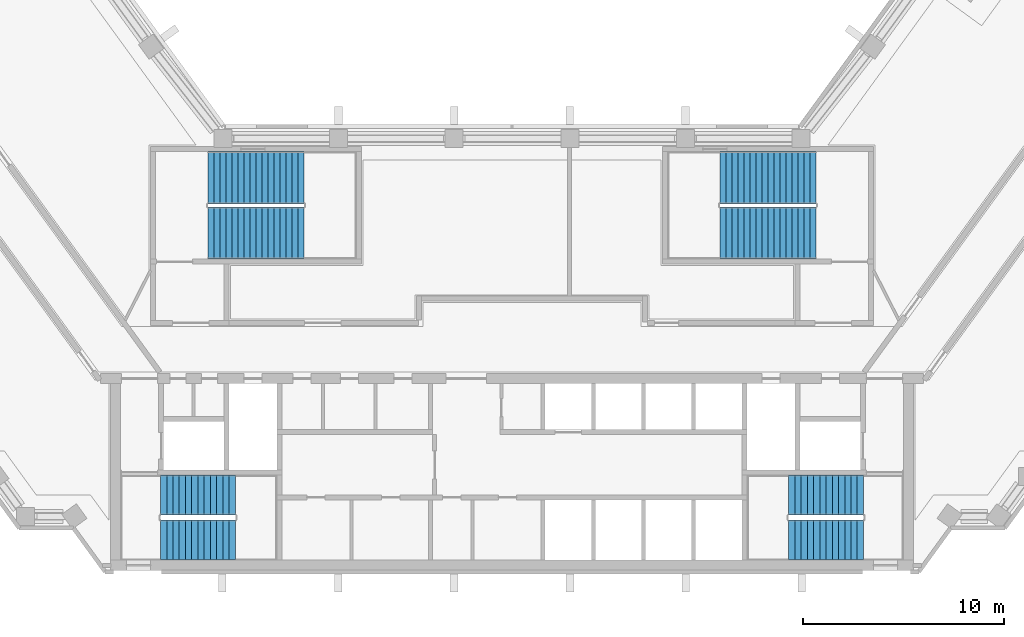
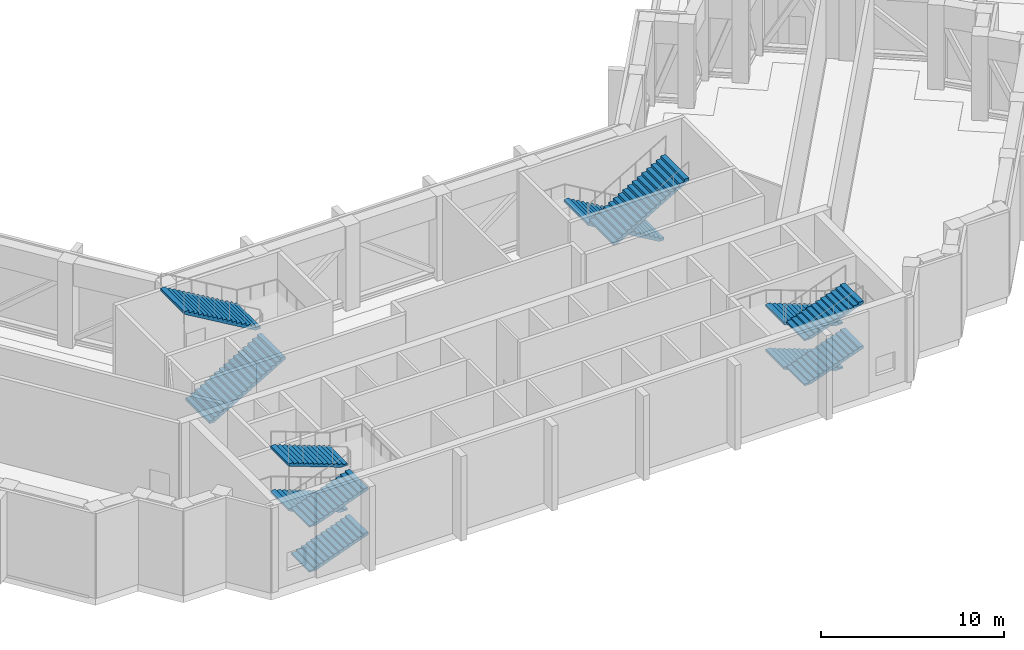
# One storey, part 13 of 16: 12 stair flights, 4 elements without a shape of their own.
"""IFC4 building model written with IfcOpenShell, lengths in metres."""

from ifc_helpers import new_model, si_unit, direction, frame, origin, place, context, subcontext, project, spatial, polyline, outline, extrude, material, type_object, element, aggregate, save


model = new_model("IFC4")

# Units and contexts
model_context = context("Model", 3, precision=1e-05, world=origin(), true_north=direction((0.0, 1.0)))
body_context = subcontext(model_context, "Body", "Model", "MODEL_VIEW")
ifc_project = project(units=[si_unit("LENGTHUNIT", "METRE"), si_unit("AREAUNIT", "SQUARE_METRE"), si_unit("VOLUMEUNIT", "CUBIC_METRE"), si_unit("PLANEANGLEUNIT", "RADIAN"), si_unit("MASSUNIT", "GRAM", prefix="KILO")], contexts=[model_context])

# Site, building, storey
site_placement = place(None, origin())
site = spatial("IfcSite", under=ifc_project, at=site_placement, CompositionType="ELEMENT")
building_placement = place(site_placement, origin())
building = spatial("IfcBuilding", under=site, at=building_placement, Name="Quipu Civic Tower", CompositionType="ELEMENT")
storey_placement = place(building_placement, frame((0.0, 0.0, 188.0)))
storey = spatial("IfcBuildingStorey", under=building, at=storey_placement, Name="L44", CompositionType="ELEMENT", Elevation=188.0)

# Stair, stair flights
ifc_material_1 = material(Name="Concrete C40/50", Category="concrete")
stair_type_1 = type_object("IfcStairType", Name="Half turn stair 2000", PredefinedType="HALF_TURN_STAIR", material=ifc_material_1)
stair_1_placement = place(storey_placement, origin())
stair_1 = element("IfcStair", 1, at=stair_1_placement, inside=storey, type_object=stair_type_1, Name="Exit stair 1", PredefinedType="HALF_TURN_STAIR")
ifc_material_2 = material(Name="Concrete C40/50", Category="concrete")
stair_flight_type_1 = type_object("IfcStairFlightType", Name="Stair flight 2000", PredefinedType="STRAIGHT", material=ifc_material_2)
stair_flight_1_placement = place(storey_placement, frame((-17.5, -9.5, 0.0), z_axis=(0.0, 0.0, 1.0), x_axis=(1.0, 0.0, 0.0)))
stair_flight_1 = element("IfcStairFlight", 2, at=stair_flight_1_placement, type_object=stair_flight_type_1, Name="ST-1 flight 1", NumberOfRisers=13, NumberOfTreads=12, PredefinedType="STRAIGHT", RiserHeight=0.115384615, TreadLength=0.31, context=body_context, shape_type="SweptSolid", body=[
    extrude(outline(polyline([(0.0, 0.0), (0.0, 0.115478515625), (0.31005859375, 0.115478515625), (0.31005859375, 0.230712890625), (0.6201171875, 0.230712890625), (0.6201171875, 0.34619140625), (0.929931640625, 0.34619140625), (0.929931640625, 0.46142578125), (1.239990234375, 0.46142578125), (1.239990234375, 0.576904296875), (1.550048828125, 0.576904296875), (1.550048828125, 0.6923828125), (1.860107421875, 0.6923828125), (1.860107421875, 0.8076171875), (2.169921875, 0.8076171875), (2.169921875, 0.923095703125), (2.47998046875, 0.923095703125), (2.47998046875, 1.03857421875), (2.7900390625, 1.03857421875), (2.7900390625, 1.15380859375), (3.10009765625, 1.15380859375), (3.10009765625, 1.269287109375), (3.409912109375, 1.269287109375), (3.409912109375, 1.384521484375), (3.719970703125, 1.384521484375), (3.719970703125, 1.5), (3.719970703125, 1.224609375), (0.4296875, 0.0), (0.0, 0.0)])), frame((0.0, 1.0, 0.0), z_axis=(0.0, -1.0, 0.0), x_axis=(1.0, 0.0, 0.0)), (0.0, 0.0, 1.0), 2.0),
])
stair_flight_2_placement = place(storey_placement, frame((-13.780029296875, -7.25, 1.5), z_axis=(0.0, 0.0, 1.0), x_axis=(-1.0, 0.0, 0.0)))
stair_flight_2 = element("IfcStairFlight", 3, at=stair_flight_2_placement, type_object=stair_flight_type_1, Name="ST-1 flight 2", NumberOfRisers=13, NumberOfTreads=12, PredefinedType="STRAIGHT", RiserHeight=0.115384615, TreadLength=0.31, context=body_context, shape_type="SweptSolid", body=[
    extrude(outline(polyline([(0.0, 0.0), (0.0, 0.115478515625), (0.31005859375, 0.115478515625), (0.31005859375, 0.230712890625), (0.6201171875, 0.230712890625), (0.6201171875, 0.34619140625), (0.929931640625, 0.34619140625), (0.929931640625, 0.46142578125), (1.239990234375, 0.46142578125), (1.239990234375, 0.576904296875), (1.550048828125, 0.576904296875), (1.550048828125, 0.6923828125), (1.860107421875, 0.6923828125), (1.860107421875, 0.8076171875), (2.169921875, 0.8076171875), (2.169921875, 0.923095703125), (2.47998046875, 0.923095703125), (2.47998046875, 1.03857421875), (2.7900390625, 1.03857421875), (2.7900390625, 1.15380859375), (3.10009765625, 1.15380859375), (3.10009765625, 1.269287109375), (3.409912109375, 1.269287109375), (3.409912109375, 1.384521484375), (3.719970703125, 1.384521484375), (3.719970703125, 1.5), (3.719970703125, 1.224609375), (0.4296875, 0.0), (0.0, 0.0)])), frame((0.0, 1.0, 0.0), z_axis=(0.0, -1.0, 0.0), x_axis=(1.0, 0.0, 0.0)), (0.0, 0.0, 1.0), 2.0),
])
stair_flight_3_placement = place(storey_placement, frame((-17.5, -9.5, 3.0), z_axis=(0.0, 0.0, 1.0), x_axis=(1.0, 0.0, 0.0)))
stair_flight_3 = element("IfcStairFlight", 4, at=stair_flight_3_placement, type_object=stair_flight_type_1, Name="ST-1 flight 3", NumberOfRisers=13, NumberOfTreads=12, PredefinedType="STRAIGHT", RiserHeight=0.115384615, TreadLength=0.31, context=body_context, shape_type="SweptSolid", body=[
    extrude(outline(polyline([(0.0, 0.0), (0.0, 0.115478515625), (0.31005859375, 0.115478515625), (0.31005859375, 0.230712890625), (0.6201171875, 0.230712890625), (0.6201171875, 0.34619140625), (0.929931640625, 0.34619140625), (0.929931640625, 0.46142578125), (1.239990234375, 0.46142578125), (1.239990234375, 0.576904296875), (1.550048828125, 0.576904296875), (1.550048828125, 0.6923828125), (1.860107421875, 0.6923828125), (1.860107421875, 0.8076171875), (2.169921875, 0.8076171875), (2.169921875, 0.923095703125), (2.47998046875, 0.923095703125), (2.47998046875, 1.03857421875), (2.7900390625, 1.03857421875), (2.7900390625, 1.15380859375), (3.10009765625, 1.15380859375), (3.10009765625, 1.269287109375), (3.409912109375, 1.269287109375), (3.409912109375, 1.384521484375), (3.719970703125, 1.384521484375), (3.719970703125, 1.5), (3.719970703125, 1.224609375), (0.4296875, 0.0), (0.0, 0.0)])), frame((0.0, 1.0, 0.0), z_axis=(0.0, -1.0, 0.0), x_axis=(1.0, 0.0, 0.0)), (0.0, 0.0, 1.0), 2.0),
])
stair_flight_4_placement = place(storey_placement, frame((-13.780029296875, -7.25, 4.5), z_axis=(0.0, 0.0, 1.0), x_axis=(-1.0, 0.0, 0.0)))
stair_flight_4 = element("IfcStairFlight", 5, at=stair_flight_4_placement, type_object=stair_flight_type_1, Name="ST-1 flight 4", NumberOfRisers=13, NumberOfTreads=12, PredefinedType="STRAIGHT", RiserHeight=0.115384615, TreadLength=0.31, context=body_context, shape_type="SweptSolid", body=[
    extrude(outline(polyline([(0.0, 0.0), (0.0, 0.115478515625), (0.31005859375, 0.115478515625), (0.31005859375, 0.230712890625), (0.6201171875, 0.230712890625), (0.6201171875, 0.34619140625), (0.929931640625, 0.34619140625), (0.929931640625, 0.46142578125), (1.239990234375, 0.46142578125), (1.239990234375, 0.576904296875), (1.550048828125, 0.576904296875), (1.550048828125, 0.6923828125), (1.860107421875, 0.6923828125), (1.860107421875, 0.8076171875), (2.169921875, 0.8076171875), (2.169921875, 0.923095703125), (2.47998046875, 0.923095703125), (2.47998046875, 1.03857421875), (2.7900390625, 1.03857421875), (2.7900390625, 1.15380859375), (3.10009765625, 1.15380859375), (3.10009765625, 1.269287109375), (3.409912109375, 1.269287109375), (3.409912109375, 1.384521484375), (3.719970703125, 1.384521484375), (3.719970703125, 1.5), (3.719970703125, 1.224609375), (0.4296875, 0.0), (0.0, 0.0)])), frame((0.0, 1.0, 0.0), z_axis=(0.0, -1.0, 0.0), x_axis=(1.0, 0.0, 0.0)), (0.0, 0.0, 1.0), 2.0),
])
aggregate(stair_1, [stair_flight_1, stair_flight_2, stair_flight_3, stair_flight_4])

stair_2_placement = place(storey_placement, origin())
stair_2 = element("IfcStair", 6, at=stair_2_placement, inside=storey, type_object=stair_type_1, Name="Exit stair 2", PredefinedType="HALF_TURN_STAIR")
stair_flight_5_placement = place(storey_placement, frame((17.5, -7.25, 0.0), z_axis=(0.0, 0.0, 1.0), x_axis=(-1.0, 0.0, 0.0)))
stair_flight_5 = element("IfcStairFlight", 7, at=stair_flight_5_placement, type_object=stair_flight_type_1, Name="ST-2 flight 1", NumberOfRisers=13, NumberOfTreads=12, PredefinedType="STRAIGHT", RiserHeight=0.115384615, TreadLength=0.31, context=body_context, shape_type="SweptSolid", body=[
    extrude(outline(polyline([(0.0, 0.0), (0.0, 0.115478515625), (0.31005859375, 0.115478515625), (0.31005859375, 0.230712890625), (0.6201171875, 0.230712890625), (0.6201171875, 0.34619140625), (0.929931640625, 0.34619140625), (0.929931640625, 0.46142578125), (1.239990234375, 0.46142578125), (1.239990234375, 0.576904296875), (1.550048828125, 0.576904296875), (1.550048828125, 0.6923828125), (1.860107421875, 0.6923828125), (1.860107421875, 0.8076171875), (2.169921875, 0.8076171875), (2.169921875, 0.923095703125), (2.47998046875, 0.923095703125), (2.47998046875, 1.03857421875), (2.7900390625, 1.03857421875), (2.7900390625, 1.15380859375), (3.10009765625, 1.15380859375), (3.10009765625, 1.269287109375), (3.409912109375, 1.269287109375), (3.409912109375, 1.384521484375), (3.719970703125, 1.384521484375), (3.719970703125, 1.5), (3.719970703125, 1.224609375), (0.4296875, 0.0), (0.0, 0.0)])), frame((0.0, 1.0, 0.0), z_axis=(0.0, -1.0, 0.0), x_axis=(1.0, 0.0, 0.0)), (0.0, 0.0, 1.0), 2.0),
])
stair_flight_6_placement = place(storey_placement, frame((13.780029296875, -9.5, 1.5), z_axis=(0.0, 0.0, 1.0), x_axis=(1.0, 0.0, 0.0)))
stair_flight_6 = element("IfcStairFlight", 8, at=stair_flight_6_placement, type_object=stair_flight_type_1, Name="ST-2 flight 2", NumberOfRisers=13, NumberOfTreads=12, PredefinedType="STRAIGHT", RiserHeight=0.115384615, TreadLength=0.31, context=body_context, shape_type="SweptSolid", body=[
    extrude(outline(polyline([(0.0, 0.0), (0.0, 0.115478515625), (0.31005859375, 0.115478515625), (0.31005859375, 0.230712890625), (0.6201171875, 0.230712890625), (0.6201171875, 0.34619140625), (0.929931640625, 0.34619140625), (0.929931640625, 0.46142578125), (1.239990234375, 0.46142578125), (1.239990234375, 0.576904296875), (1.550048828125, 0.576904296875), (1.550048828125, 0.6923828125), (1.860107421875, 0.6923828125), (1.860107421875, 0.8076171875), (2.169921875, 0.8076171875), (2.169921875, 0.923095703125), (2.47998046875, 0.923095703125), (2.47998046875, 1.03857421875), (2.7900390625, 1.03857421875), (2.7900390625, 1.15380859375), (3.10009765625, 1.15380859375), (3.10009765625, 1.269287109375), (3.409912109375, 1.269287109375), (3.409912109375, 1.384521484375), (3.719970703125, 1.384521484375), (3.719970703125, 1.5), (3.719970703125, 1.224609375), (0.4296875, 0.0), (0.0, 0.0)])), frame((0.0, 1.0, 0.0), z_axis=(0.0, -1.0, 0.0), x_axis=(1.0, 0.0, 0.0)), (0.0, 0.0, 1.0), 2.0),
])
stair_flight_7_placement = place(storey_placement, frame((17.5, -7.25, 3.0), z_axis=(0.0, 0.0, 1.0), x_axis=(-1.0, 0.0, 0.0)))
stair_flight_7 = element("IfcStairFlight", 9, at=stair_flight_7_placement, type_object=stair_flight_type_1, Name="ST-2 flight 3", NumberOfRisers=13, NumberOfTreads=12, PredefinedType="STRAIGHT", RiserHeight=0.115384615, TreadLength=0.31, context=body_context, shape_type="SweptSolid", body=[
    extrude(outline(polyline([(0.0, 0.0), (0.0, 0.115478515625), (0.31005859375, 0.115478515625), (0.31005859375, 0.230712890625), (0.6201171875, 0.230712890625), (0.6201171875, 0.34619140625), (0.929931640625, 0.34619140625), (0.929931640625, 0.46142578125), (1.239990234375, 0.46142578125), (1.239990234375, 0.576904296875), (1.550048828125, 0.576904296875), (1.550048828125, 0.6923828125), (1.860107421875, 0.6923828125), (1.860107421875, 0.8076171875), (2.169921875, 0.8076171875), (2.169921875, 0.923095703125), (2.47998046875, 0.923095703125), (2.47998046875, 1.03857421875), (2.7900390625, 1.03857421875), (2.7900390625, 1.15380859375), (3.10009765625, 1.15380859375), (3.10009765625, 1.269287109375), (3.409912109375, 1.269287109375), (3.409912109375, 1.384521484375), (3.719970703125, 1.384521484375), (3.719970703125, 1.5), (3.719970703125, 1.224609375), (0.4296875, 0.0), (0.0, 0.0)])), frame((0.0, 1.0, 0.0), z_axis=(0.0, -1.0, 0.0), x_axis=(1.0, 0.0, 0.0)), (0.0, 0.0, 1.0), 2.0),
])
stair_flight_8_placement = place(storey_placement, frame((13.780029296875, -9.5, 4.5), z_axis=(0.0, 0.0, 1.0), x_axis=(1.0, 0.0, 0.0)))
stair_flight_8 = element("IfcStairFlight", 10, at=stair_flight_8_placement, type_object=stair_flight_type_1, Name="ST-2 flight 4", NumberOfRisers=13, NumberOfTreads=12, PredefinedType="STRAIGHT", RiserHeight=0.115384615, TreadLength=0.31, context=body_context, shape_type="SweptSolid", body=[
    extrude(outline(polyline([(0.0, 0.0), (0.0, 0.115478515625), (0.31005859375, 0.115478515625), (0.31005859375, 0.230712890625), (0.6201171875, 0.230712890625), (0.6201171875, 0.34619140625), (0.929931640625, 0.34619140625), (0.929931640625, 0.46142578125), (1.239990234375, 0.46142578125), (1.239990234375, 0.576904296875), (1.550048828125, 0.576904296875), (1.550048828125, 0.6923828125), (1.860107421875, 0.6923828125), (1.860107421875, 0.8076171875), (2.169921875, 0.8076171875), (2.169921875, 0.923095703125), (2.47998046875, 0.923095703125), (2.47998046875, 1.03857421875), (2.7900390625, 1.03857421875), (2.7900390625, 1.15380859375), (3.10009765625, 1.15380859375), (3.10009765625, 1.269287109375), (3.409912109375, 1.269287109375), (3.409912109375, 1.384521484375), (3.719970703125, 1.384521484375), (3.719970703125, 1.5), (3.719970703125, 1.224609375), (0.4296875, 0.0), (0.0, 0.0)])), frame((0.0, 1.0, 0.0), z_axis=(0.0, -1.0, 0.0), x_axis=(1.0, 0.0, 0.0)), (0.0, 0.0, 1.0), 2.0),
])
aggregate(stair_2, [stair_flight_5, stair_flight_6, stair_flight_7, stair_flight_8])

ifc_material_3 = material(Name="Concrete C40/50", Category="concrete")
stair_type_2 = type_object("IfcStairType", Name="Half turn stair 2600", PredefinedType="HALF_TURN_STAIR", material=ifc_material_3)
stair_3_placement = place(storey_placement, origin())
stair_3 = element("IfcStair", 11, at=stair_3_placement, inside=storey, type_object=stair_type_2, Name="Exit stair 3", PredefinedType="HALF_TURN_STAIR")
ifc_material_4 = material(Name="Concrete C40/50", Category="concrete")
stair_flight_type_2 = type_object("IfcStairFlightType", Name="Stair flight 2600", PredefinedType="STRAIGHT", material=ifc_material_4)
stair_flight_9_placement = place(storey_placement, frame((-15.14990234375, 5.800048828125, 0.0), z_axis=(0.0, 0.0, 1.0), x_axis=(1.0, 0.0, 0.0)))
stair_flight_9 = element("IfcStairFlight", 12, at=stair_flight_9_placement, type_object=stair_flight_type_2, Name="ST-3 flight 1", NumberOfRisers=17, NumberOfTreads=16, PredefinedType="STRAIGHT", RiserHeight=0.176470588, TreadLength=0.3, context=body_context, shape_type="SweptSolid", body=[
    extrude(outline(polyline([(0.0, 0.0), (0.0, 0.176513671875), (0.300048828125, 0.176513671875), (0.300048828125, 0.35302734375), (0.60009765625, 0.35302734375), (0.60009765625, 0.529296875), (0.89990234375, 0.529296875), (0.89990234375, 0.705810546875), (1.199951171875, 0.705810546875), (1.199951171875, 0.88232421875), (1.5, 0.88232421875), (1.5, 1.058837890625), (1.800048828125, 1.058837890625), (1.800048828125, 1.2353515625), (2.10009765625, 1.2353515625), (2.10009765625, 1.411865234375), (2.39990234375, 1.411865234375), (2.39990234375, 1.588134765625), (2.699951171875, 1.588134765625), (2.699951171875, 1.7646484375), (3.0, 1.7646484375), (3.0, 1.941162109375), (3.300048828125, 1.941162109375), (3.300048828125, 2.11767578125), (3.60009765625, 2.11767578125), (3.60009765625, 2.294189453125), (3.89990234375, 2.294189453125), (3.89990234375, 2.470703125), (4.199951171875, 2.470703125), (4.199951171875, 2.64697265625), (4.5, 2.64697265625), (4.5, 2.823486328125), (4.800048828125, 2.823486328125), (4.800048828125, 3.0), (4.800048828125, 2.649658203125), (0.295654296875, 0.0), (0.0, 0.0)])), frame((0.0, 1.300048828125, 0.0), z_axis=(0.0, -1.0, 0.0), x_axis=(1.0, 0.0, 0.0)), (0.0, 0.0, 1.0), 2.60009765625),
])
stair_flight_10_placement = place(storey_placement, frame((-10.35009765625, 8.550048828125, 3.0), z_axis=(0.0, 0.0, 1.0), x_axis=(-1.0, 0.0, 0.0)))
stair_flight_10 = element("IfcStairFlight", 13, at=stair_flight_10_placement, type_object=stair_flight_type_2, Name="ST-3 flight 2", NumberOfRisers=17, NumberOfTreads=16, PredefinedType="STRAIGHT", RiserHeight=0.176470588, TreadLength=0.3, context=body_context, shape_type="SweptSolid", body=[
    extrude(outline(polyline([(0.0, 0.0), (0.0, 0.176513671875), (0.300048828125, 0.176513671875), (0.300048828125, 0.35302734375), (0.60009765625, 0.35302734375), (0.60009765625, 0.529296875), (0.89990234375, 0.529296875), (0.89990234375, 0.705810546875), (1.199951171875, 0.705810546875), (1.199951171875, 0.88232421875), (1.5, 0.88232421875), (1.5, 1.058837890625), (1.800048828125, 1.058837890625), (1.800048828125, 1.2353515625), (2.10009765625, 1.2353515625), (2.10009765625, 1.411865234375), (2.39990234375, 1.411865234375), (2.39990234375, 1.588134765625), (2.699951171875, 1.588134765625), (2.699951171875, 1.7646484375), (3.0, 1.7646484375), (3.0, 1.941162109375), (3.300048828125, 1.941162109375), (3.300048828125, 2.11767578125), (3.60009765625, 2.11767578125), (3.60009765625, 2.294189453125), (3.89990234375, 2.294189453125), (3.89990234375, 2.470703125), (4.199951171875, 2.470703125), (4.199951171875, 2.64697265625), (4.5, 2.64697265625), (4.5, 2.823486328125), (4.800048828125, 2.823486328125), (4.800048828125, 3.0), (4.800048828125, 2.649658203125), (0.295654296875, 0.0), (0.0, 0.0)])), frame((0.0, 1.300048828125, 0.0), z_axis=(0.0, -1.0, 0.0), x_axis=(1.0, 0.0, 0.0)), (0.0, 0.0, 1.0), 2.60009765625),
])
aggregate(stair_3, [stair_flight_9, stair_flight_10])

stair_4_placement = place(storey_placement, origin())
stair_4 = element("IfcStair", 14, at=stair_4_placement, inside=storey, type_object=stair_type_2, Name="Exit stair 4", PredefinedType="HALF_TURN_STAIR")
stair_flight_11_placement = place(storey_placement, frame((15.14990234375, 8.550048828125, 0.0), z_axis=(0.0, 0.0, 1.0), x_axis=(-1.0, 0.0, 0.0)))
stair_flight_11 = element("IfcStairFlight", 15, at=stair_flight_11_placement, type_object=stair_flight_type_2, Name="ST-4 flight 1", NumberOfRisers=17, NumberOfTreads=16, PredefinedType="STRAIGHT", RiserHeight=0.176470588, TreadLength=0.3, context=body_context, shape_type="SweptSolid", body=[
    extrude(outline(polyline([(0.0, 0.0), (0.0, 0.176513671875), (0.300048828125, 0.176513671875), (0.300048828125, 0.35302734375), (0.60009765625, 0.35302734375), (0.60009765625, 0.529296875), (0.89990234375, 0.529296875), (0.89990234375, 0.705810546875), (1.199951171875, 0.705810546875), (1.199951171875, 0.88232421875), (1.5, 0.88232421875), (1.5, 1.058837890625), (1.800048828125, 1.058837890625), (1.800048828125, 1.2353515625), (2.10009765625, 1.2353515625), (2.10009765625, 1.411865234375), (2.39990234375, 1.411865234375), (2.39990234375, 1.588134765625), (2.699951171875, 1.588134765625), (2.699951171875, 1.7646484375), (3.0, 1.7646484375), (3.0, 1.941162109375), (3.300048828125, 1.941162109375), (3.300048828125, 2.11767578125), (3.60009765625, 2.11767578125), (3.60009765625, 2.294189453125), (3.89990234375, 2.294189453125), (3.89990234375, 2.470703125), (4.199951171875, 2.470703125), (4.199951171875, 2.64697265625), (4.5, 2.64697265625), (4.5, 2.823486328125), (4.800048828125, 2.823486328125), (4.800048828125, 3.0), (4.800048828125, 2.649658203125), (0.295654296875, 0.0), (0.0, 0.0)])), frame((0.0, 1.300048828125, 0.0), z_axis=(0.0, -1.0, 0.0), x_axis=(1.0, 0.0, 0.0)), (0.0, 0.0, 1.0), 2.60009765625),
])
stair_flight_12_placement = place(storey_placement, frame((10.35009765625, 5.800048828125, 3.0), z_axis=(0.0, 0.0, 1.0), x_axis=(1.0, 0.0, 0.0)))
stair_flight_12 = element("IfcStairFlight", 16, at=stair_flight_12_placement, type_object=stair_flight_type_2, Name="ST-4 flight 2", NumberOfRisers=17, NumberOfTreads=16, PredefinedType="STRAIGHT", RiserHeight=0.176470588, TreadLength=0.3, context=body_context, shape_type="SweptSolid", body=[
    extrude(outline(polyline([(0.0, 0.0), (0.0, 0.176513671875), (0.300048828125, 0.176513671875), (0.300048828125, 0.35302734375), (0.60009765625, 0.35302734375), (0.60009765625, 0.529296875), (0.89990234375, 0.529296875), (0.89990234375, 0.705810546875), (1.199951171875, 0.705810546875), (1.199951171875, 0.88232421875), (1.5, 0.88232421875), (1.5, 1.058837890625), (1.800048828125, 1.058837890625), (1.800048828125, 1.2353515625), (2.10009765625, 1.2353515625), (2.10009765625, 1.411865234375), (2.39990234375, 1.411865234375), (2.39990234375, 1.588134765625), (2.699951171875, 1.588134765625), (2.699951171875, 1.7646484375), (3.0, 1.7646484375), (3.0, 1.941162109375), (3.300048828125, 1.941162109375), (3.300048828125, 2.11767578125), (3.60009765625, 2.11767578125), (3.60009765625, 2.294189453125), (3.89990234375, 2.294189453125), (3.89990234375, 2.470703125), (4.199951171875, 2.470703125), (4.199951171875, 2.64697265625), (4.5, 2.64697265625), (4.5, 2.823486328125), (4.800048828125, 2.823486328125), (4.800048828125, 3.0), (4.800048828125, 2.649658203125), (0.295654296875, 0.0), (0.0, 0.0)])), frame((0.0, 1.300048828125, 0.0), z_axis=(0.0, -1.0, 0.0), x_axis=(1.0, 0.0, 0.0)), (0.0, 0.0, 1.0), 2.60009765625),
])
aggregate(stair_4, [stair_flight_11, stair_flight_12])

save(model, "model.ifc")
